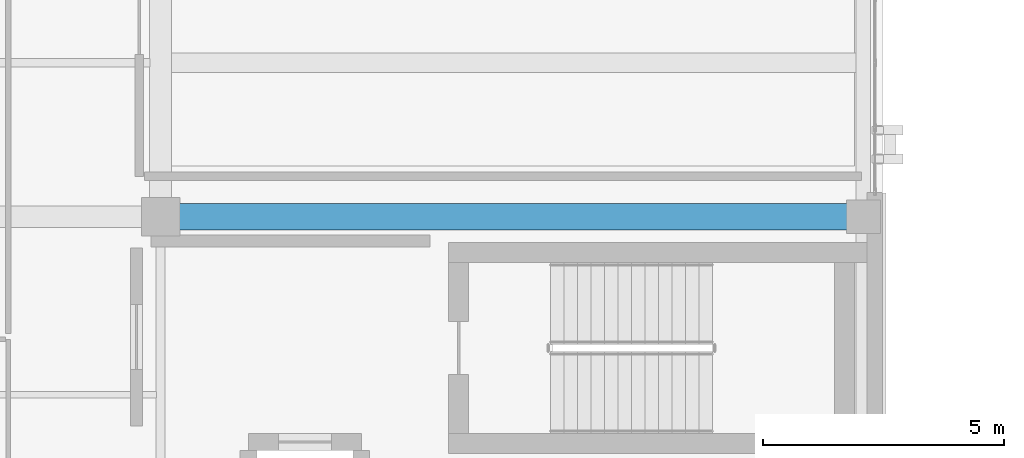
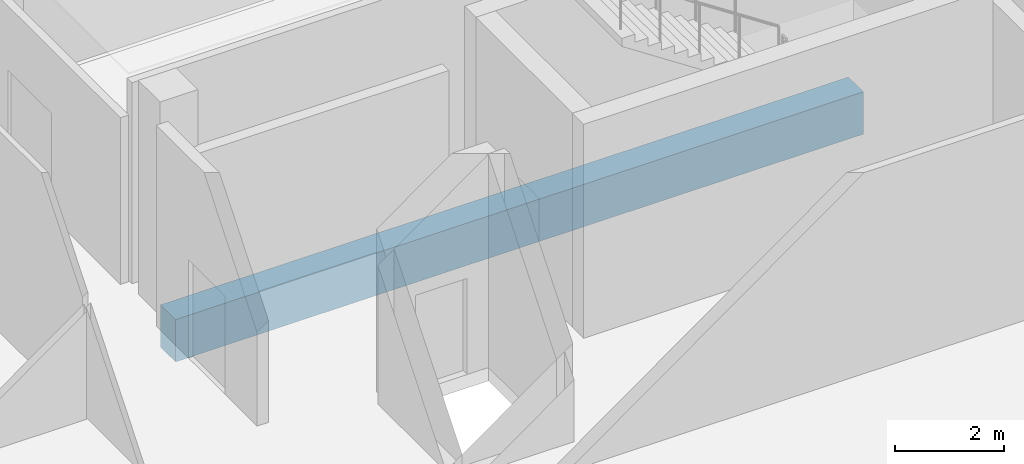
# One storey, part 104 of 189: 1 beam.
"""IFC4 building model written with IfcOpenShell, lengths in metres."""

from ifc_helpers import new_model, si_unit, direction, frame, origin, origin_2d, place, context, subcontext, project, spatial, rectangle, extrude, material, material_profile, profile_set, type_object, element, save


model = new_model("IFC4")

# Units and contexts
model_context = context("Model", 3, precision=1e-05, world=origin(), true_north=direction((0.0, 1.0)))
body_context = subcontext(model_context, "Body", "Model", "MODEL_VIEW")
ifc_project = project(units=[si_unit("LENGTHUNIT", "METRE"), si_unit("AREAUNIT", "SQUARE_METRE"), si_unit("VOLUMEUNIT", "CUBIC_METRE"), si_unit("PLANEANGLEUNIT", "RADIAN"), si_unit("MASSUNIT", "GRAM", prefix="KILO")], contexts=[model_context])

# Site, building, storey
site_placement = place(None, origin())
site = spatial("IfcSite", under=ifc_project, at=site_placement, CompositionType="ELEMENT")
building_placement = place(site_placement, origin())
building = spatial("IfcBuilding", under=site, at=building_placement, Name="Qalavern Law Courts", CompositionType="ELEMENT")
storey_placement = place(building_placement, frame((0.0, 0.0, 5.39990234375)))
storey = spatial("IfcBuildingStorey", under=building, at=storey_placement, Name="L01", CompositionType="ELEMENT", Elevation=5.39990234375)

# Beam
ifc_material = material(Name="Concrete C40/50", Category="concrete")
ifc_material_profile = material_profile(ifc_material, rectangle(XDim=0.550048828125, YDim=0.949951171875, at=origin_2d()), Name="RC 550x950")
ifc_profile_set = profile_set([ifc_material_profile], Name="Concrete C40/50")
beam_type = type_object("IfcBeamType", Name="STR-BM-RC550x950", PredefinedType="BEAM", material=ifc_profile_set)
beam_placement = place(storey_placement, frame((91.800048828125, 72.800048828125, -0.77490234375), z_axis=(1.0, 0.0, 0.0), x_axis=(0.0, 1.0, 0.0)))
element("IfcBeam", 1, at=beam_placement, inside=storey, type_object=beam_type, Name="V4 X-beam 5-2 L01", PredefinedType="BEAM", context=body_context, shape_type="SweptSolid", body=[
    extrude(rectangle(XDim=0.550048828125, YDim=0.949951171875, at=origin_2d()), origin(), (0.0, 0.0, 1.0), 14.599853515625),
])

save(model, "model.ifc")
